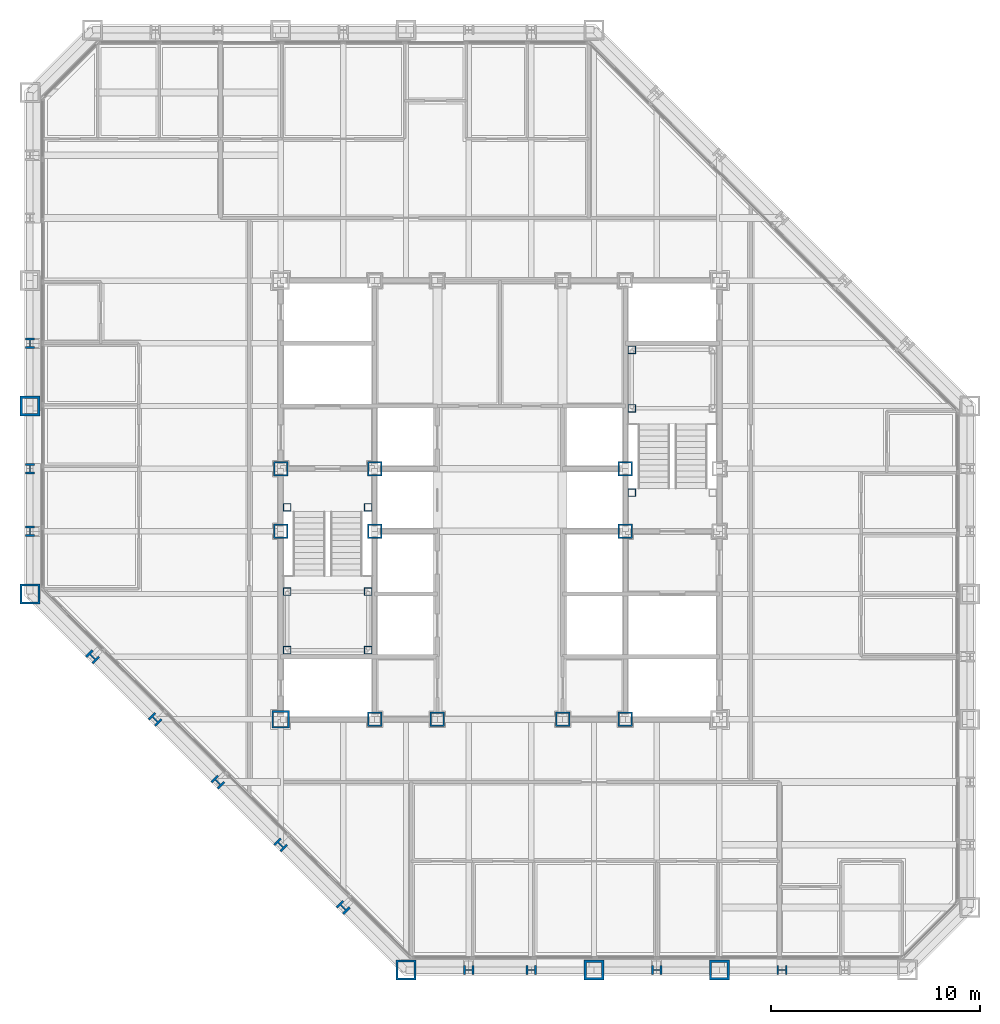
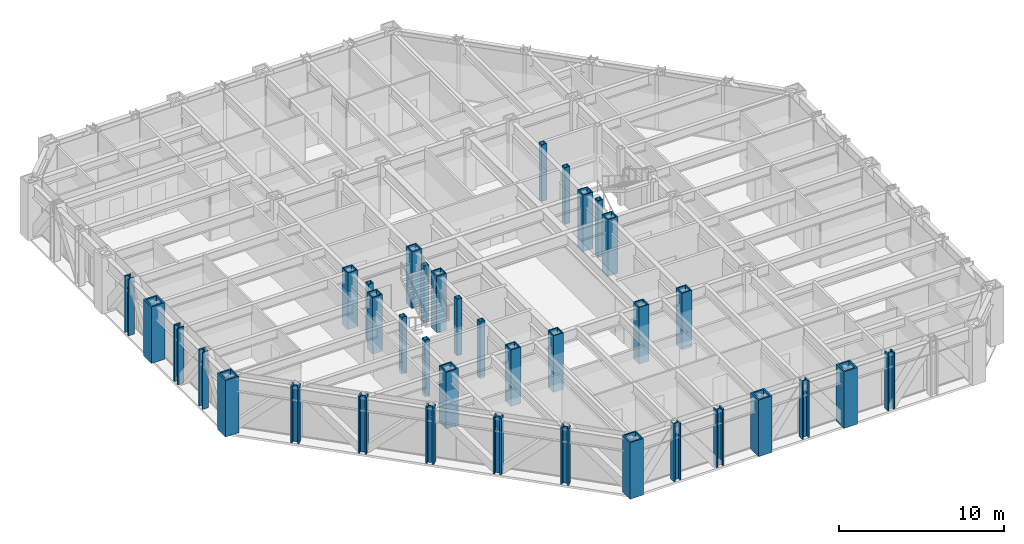
# One storey, part 1 of 16: 37 columns.
"""IFC4 building model written with IfcOpenShell, lengths in metres."""

from ifc_helpers import new_model, si_unit, direction, frame, origin, origin_2d, place, context, subcontext, project, spatial, hollow_rectangle, i_section, extrude, material, material_profile, profile_set, type_object, element, save


model = new_model("IFC4")

# Units and contexts
model_context = context("Model", 3, precision=1e-05, world=origin(), true_north=direction((0.0, 1.0)))
body_context = subcontext(model_context, "Body", "Model", "MODEL_VIEW")
ifc_project = project(units=[si_unit("LENGTHUNIT", "METRE"), si_unit("AREAUNIT", "SQUARE_METRE"), si_unit("VOLUMEUNIT", "CUBIC_METRE"), si_unit("PLANEANGLEUNIT", "RADIAN"), si_unit("MASSUNIT", "GRAM", prefix="KILO")], contexts=[model_context])

# Site, building, storey
site_placement = place(None, origin())
site = spatial("IfcSite", under=ifc_project, at=site_placement, CompositionType="ELEMENT")
building_placement = place(site_placement, origin())
building = spatial("IfcBuilding", under=site, at=building_placement, Name="Chuquiago Exchange Tower", CompositionType="ELEMENT")
storey_placement = place(building_placement, frame((0.0, 0.0, 115.199951171875)))
storey = spatial("IfcBuildingStorey", under=building, at=storey_placement, Name="L24", CompositionType="ELEMENT", Elevation=115.199951171875)

# Columns
ifc_material_1 = material(Name="Steel ASTM A992", Category="steel")
ifc_material_profile_1 = material_profile(ifc_material_1, i_section(OverallWidth=0.431884765625, OverallDepth=0.497802734375, WebThickness=0.0556640625, FlangeThickness=0.0888671875, at=origin_2d()), Name="W14X500")
ifc_profile_set_1 = profile_set([ifc_material_profile_1], Name="Steel ASTM A992")
column_type_1 = type_object("IfcColumnType", Name="C3 W14X500", PredefinedType="COLUMN", material=ifc_profile_set_1)
for number, where, z_axis, x_axis, name in (
    (1, (21.0, 0.0, 0.0), (0.0, 0.0, 1.0), (0.0, -1.0, 0.0), "COL-L24-21_0"),
    (2, (24.0, 0.0, 0.0), (0.0, 0.0, 1.0), (0.0, -1.0, 0.0), "COL-L24-24_0"),
    (3, (30.0, 0.0, 0.0), (0.0, 0.0, 1.0), (0.0, -1.0, 0.0), "COL-L24-30_0"),
    (4, (36.0, 0.0, 0.0), (0.0, 0.0, 1.0), (0.0, -1.0, 0.0), "COL-L24-36_0"),
    (5, (0.0, 30.0, 0.0), (0.0, 0.0, 1.0), (-1.0, 0.0, 0.0), "COL-L24-0_30"),
    (6, (0.0, 24.0, 0.0), (0.0, 0.0, 1.0), (-1.0, 0.0, 0.0), "COL-L24-0_24"),
    (7, (0.0, 21.0, 0.0), (0.0, 0.0, 1.0), (-1.0, 0.0, 0.0), "COL-L24-0_21"),
):
    element("IfcColumn", number, at=place(storey_placement, frame(where, z_axis=z_axis, x_axis=x_axis)), inside=storey, type_object=column_type_1, Name=name, PredefinedType="COLUMN", context=body_context, shape_type="SweptSolid", body=[
        extrude(i_section(OverallWidth=0.431884765625, OverallDepth=0.497802734375, WebThickness=0.0556640625, FlangeThickness=0.0888671875, at=origin_2d()), origin(), (0.0, 0.0, 1.0), 4.199951171875),
    ])
ifc_material_2 = material(Name="Steel ASTM A572 Grade 50", Category="steel")
ifc_material_profile_2 = material_profile(ifc_material_2, hollow_rectangle(XDim=0.699951171875, YDim=0.699951171875, WallThickness=0.070068359375, at=origin_2d()), Name="BOX700X700X70")
ifc_profile_set_2 = profile_set([ifc_material_profile_2], Name="Steel ASTM A572 Grade 50")
column_type_2 = type_object("IfcColumnType", Name="CC3 BOX700X700X70", PredefinedType="COLUMN", material=ifc_profile_set_2)
for number, where, z_axis, x_axis, name in (
    (8, (16.5, 12.0, 0.0), (0.0, 0.0, 1.0), (1.0, 0.0, 0.0), "CCOL-L24-16.5_12"),
    (9, (19.5, 12.0, 0.0), (0.0, 0.0, 1.0), (1.0, 0.0, 0.0), "CCOL-L24-19.5_12"),
    (10, (25.5, 12.0, 0.0), (0.0, 0.0, 1.0), (1.0, 0.0, 0.0), "CCOL-L24-25.5_12"),
    (11, (28.5, 12.0, 0.0), (0.0, 0.0, 1.0), (1.0, 0.0, 0.0), "CCOL-L24-28.5_12"),
    (12, (12.0, 21.0, 0.0), (0.0, 0.0, 1.0), (1.0, 0.0, 0.0), "CCOL-L24-12_21"),
    (13, (12.0, 24.0, 0.0), (0.0, 0.0, 1.0), (1.0, 0.0, 0.0), "CCOL-L24-12_24"),
    (14, (16.5, 21.0, 0.0), (0.0, 0.0, 1.0), (1.0, 0.0, 0.0), "CCOL-L24-16.5_21"),
    (15, (16.5, 24.0, 0.0), (0.0, 0.0, 1.0), (1.0, 0.0, 0.0), "CCOL-L24-16.5_24"),
    (16, (28.5, 21.0, 0.0), (0.0, 0.0, 1.0), (1.0, 0.0, 0.0), "CCOL-L24-28.5_21"),
    (17, (28.5, 24.0, 0.0), (0.0, 0.0, 1.0), (1.0, 0.0, 0.0), "CCOL-L24-28.5_24"),
):
    element("IfcColumn", number, at=place(storey_placement, frame(where, z_axis=z_axis, x_axis=x_axis)), inside=storey, type_object=column_type_2, Name=name, PredefinedType="COLUMN", context=body_context, shape_type="SweptSolid", body=[
        extrude(hollow_rectangle(XDim=0.699951171875, YDim=0.699951171875, WallThickness=0.070068359375, at=origin_2d()), origin(), (0.0, 0.0, 1.0), 4.199951171875),
    ])
ifc_material_3 = material(Name="Steel ASTM A572 Grade 50", Category="steel")
ifc_material_profile_3 = material_profile(ifc_material_3, hollow_rectangle(XDim=0.85009765625, YDim=0.85009765625, WallThickness=0.0849609375, at=origin_2d()), Name="BOX850X850X85")
ifc_profile_set_3 = profile_set([ifc_material_profile_3], Name="Steel ASTM A572 Grade 50")
column_type_3 = type_object("IfcColumnType", Name="CC6 BOX850X850X85", PredefinedType="COLUMN", material=ifc_profile_set_3)
column_placement = place(storey_placement, frame((12.0, 12.0, 0.0), z_axis=(0.0, 0.0, 1.0), x_axis=(1.0, 0.0, 0.0)))
element("IfcColumn", 18, at=column_placement, inside=storey, type_object=column_type_3, Name="CCOL-L24-12_12", PredefinedType="COLUMN", context=body_context, shape_type="SweptSolid", body=[
    extrude(hollow_rectangle(XDim=0.85009765625, YDim=0.85009765625, WallThickness=0.0849609375, at=origin_2d()), origin(), (0.0, 0.0, 1.0), 4.199951171875),
])
ifc_material_4 = material(Name="Steel ASTM A992", Category="steel")
ifc_material_profile_4 = material_profile(ifc_material_4, i_section(OverallWidth=0.44189453125, OverallDepth=0.53076171875, WebThickness=0.06591796875, FlangeThickness=0.105712890625, at=origin_2d()), Name="W14X605")
ifc_profile_set_4 = profile_set([ifc_material_profile_4], Name="Steel ASTM A992")
column_type_4 = type_object("IfcColumnType", Name="CK3 W14X605", PredefinedType="COLUMN", material=ifc_profile_set_4)
for number, where, z_axis, x_axis, name in (
    (19, (3.0, 15.0, 0.0), (0.0, 0.0, 1.0), (-0.707106781187, -0.707106781187, 0.0), "COL-L24-3_15"),
    (20, (6.0, 12.0, 0.0), (0.0, 0.0, 1.0), (-0.707106781187, -0.707106781187, 0.0), "COL-L24-6_12"),
    (21, (9.0, 9.0, 0.0), (0.0, 0.0, 1.0), (-0.707106781187, -0.707106781187, 0.0), "COL-L24-9_9"),
    (22, (12.0, 6.0, 0.0), (0.0, 0.0, 1.0), (-0.707106781187, -0.707106781187, 0.0), "COL-L24-12_6"),
    (23, (15.0, 3.0, 0.0), (0.0, 0.0, 1.0), (-0.707106781187, -0.707106781187, 0.0), "COL-L24-15_3"),
):
    element("IfcColumn", number, at=place(storey_placement, frame(where, z_axis=z_axis, x_axis=x_axis)), inside=storey, type_object=column_type_4, Name=name, PredefinedType="COLUMN", context=body_context, shape_type="SweptSolid", body=[
        extrude(i_section(OverallWidth=0.44189453125, OverallDepth=0.53076171875, WebThickness=0.06591796875, FlangeThickness=0.105712890625, at=origin_2d()), origin(), (0.0, 0.0, 1.0), 4.199951171875),
    ])
ifc_material_5 = material(Name="Steel ASTM A572 Grade 50", Category="steel")
ifc_material_profile_5 = material_profile(ifc_material_5, hollow_rectangle(XDim=0.949951171875, YDim=0.949951171875, WallThickness=0.094970703125, at=origin_2d()), Name="BOX950X950X95")
ifc_profile_set_5 = profile_set([ifc_material_profile_5], Name="Steel ASTM A572 Grade 50")
column_type_5 = type_object("IfcColumnType", Name="CN1 BOX950X950X95", PredefinedType="COLUMN", material=ifc_profile_set_5)
for number, where, z_axis, x_axis, name in (
    (24, (18.0, 0.0, 0.0), (0.0, 0.0, 1.0), (0.0, -1.0, 0.0), "COL-L24-18_0"),
    (25, (0.0, 18.0, 0.0), (0.0, 0.0, 1.0), (-1.0, 0.0, 0.0), "COL-L24-0_18"),
):
    element("IfcColumn", number, at=place(storey_placement, frame(where, z_axis=z_axis, x_axis=x_axis)), inside=storey, type_object=column_type_5, Name=name, PredefinedType="COLUMN", context=body_context, shape_type="SweptSolid", body=[
        extrude(hollow_rectangle(XDim=0.949951171875, YDim=0.949951171875, WallThickness=0.094970703125, at=origin_2d()), origin(), (0.0, 0.0, 1.0), 4.199951171875),
    ])
ifc_material_6 = material(Name="Steel ASTM A572 Grade 42", Category="steel")
ifc_material_profile_6 = material_profile(ifc_material_6, hollow_rectangle(XDim=0.949951171875, YDim=0.949951171875, WallThickness=0.110107421875, at=origin_2d()), Name="BOX950X950X110")
ifc_profile_set_6 = profile_set([ifc_material_profile_6], Name="Steel ASTM A572 Grade 42")
column_type_6 = type_object("IfcColumnType", Name="CT1 BOX950X950X110", PredefinedType="COLUMN", material=ifc_profile_set_6)
for number, where, z_axis, x_axis, name in (
    (26, (27.0, 0.0, 0.0), (0.0, 0.0, 1.0), (0.0, -1.0, 0.0), "COL-L24-27_0"),
    (27, (33.0, 0.0, 0.0), (0.0, 0.0, 1.0), (0.0, -1.0, 0.0), "COL-L24-33_0"),
    (28, (0.0, 27.0, 0.0), (0.0, 0.0, 1.0), (-1.0, 0.0, 0.0), "COL-L24-0_27"),
):
    element("IfcColumn", number, at=place(storey_placement, frame(where, z_axis=z_axis, x_axis=x_axis)), inside=storey, type_object=column_type_6, Name=name, PredefinedType="COLUMN", context=body_context, shape_type="SweptSolid", body=[
        extrude(hollow_rectangle(XDim=0.949951171875, YDim=0.949951171875, WallThickness=0.110107421875, at=origin_2d()), origin(), (0.0, 0.0, 1.0), 4.199951171875),
    ])
ifc_material_7 = material(Name="Steel ASTM A500 Grade C", Category="steel")
ifc_material_profile_7 = material_profile(ifc_material_7, hollow_rectangle(XDim=0.355712890625, YDim=0.355712890625, WallThickness=0.0146484375, at=origin_2d()), Name="HSS14X14X5/8")
ifc_profile_set_7 = profile_set([ifc_material_profile_7], Name="Steel ASTM A500 Grade C")
column_type_7 = type_object("IfcColumnType", Name="PT2 HSS14X14X5/8", PredefinedType="COLUMN", material=ifc_profile_set_7)
for number, where, z_axis, x_axis, name in (
    (29, (12.31005859375, 15.31005859375, 0.0), (0.0, 0.0, 1.0), (1.0, 0.0, 0.0), "Stair ST1 L24 landing post"),
    (30, (16.18994140625, 15.31005859375, 0.0), (0.0, 0.0, 1.0), (1.0, 0.0, 0.0), "Stair ST1 L24 landing post"),
    (31, (12.31005859375, 18.110107421875, 0.0), (0.0, 0.0, 1.0), (1.0, 0.0, 0.0), "Stair ST1 L24 landing post"),
    (32, (16.18994140625, 18.110107421875, 0.0), (0.0, 0.0, 1.0), (1.0, 0.0, 0.0), "Stair ST1 L24 landing post"),
    (33, (12.31005859375, 22.14990234375, 0.0), (0.0, 0.0, 1.0), (1.0, 0.0, 0.0), "Stair ST1 L24 landing post"),
    (34, (16.18994140625, 22.14990234375, 0.0), (0.0, 0.0, 1.0), (1.0, 0.0, 0.0), "Stair ST1 L24 landing post"),
    (35, (28.81005859375, 29.68994140625, 0.0), (0.0, 0.0, 1.0), (1.0, 0.0, 0.0), "Stair ST2 L24 landing post"),
    (36, (28.81005859375, 26.889892578125, 0.0), (0.0, 0.0, 1.0), (1.0, 0.0, 0.0), "Stair ST2 L24 landing post"),
    (37, (28.81005859375, 22.85009765625, 0.0), (0.0, 0.0, 1.0), (1.0, 0.0, 0.0), "Stair ST2 L24 landing post"),
):
    element("IfcColumn", number, at=place(storey_placement, frame(where, z_axis=z_axis, x_axis=x_axis)), inside=storey, type_object=column_type_7, Name=name, PredefinedType="COLUMN", context=body_context, shape_type="SweptSolid", body=[
        extrude(hollow_rectangle(XDim=0.355712890625, YDim=0.355712890625, WallThickness=0.0146484375, at=origin_2d()), origin(), (0.0, 0.0, 1.0), 4.199951171875),
    ])

save(model, "model.ifc")
